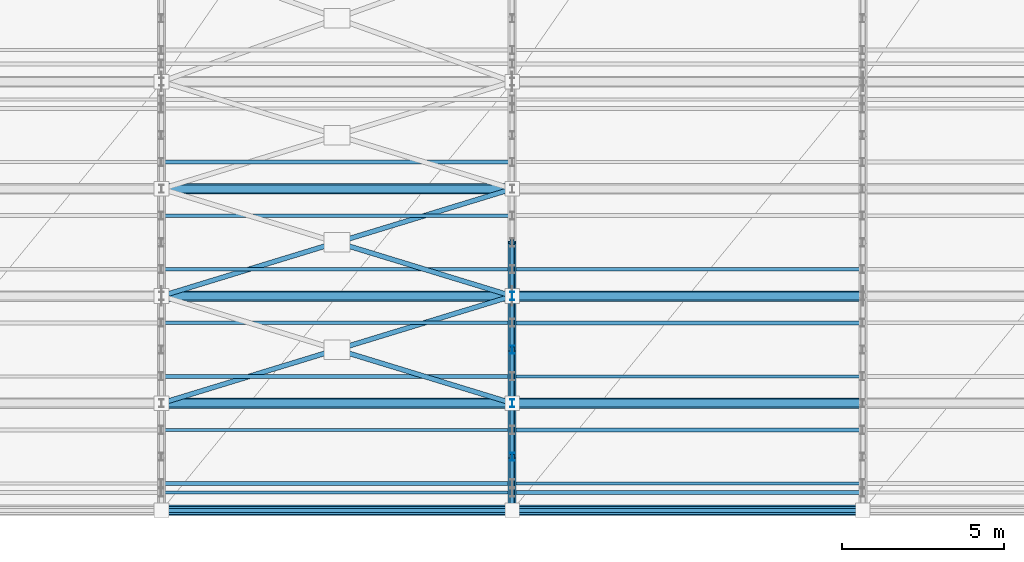
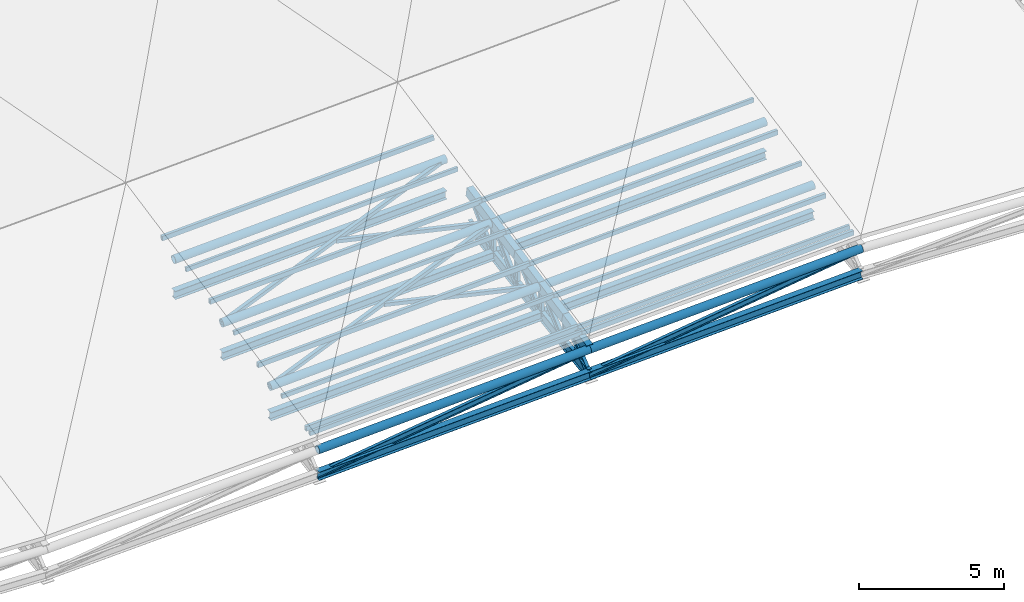
# One storey, part 31 of 89: 43 members, 10 beams.
"""IFC4 building model written with IfcOpenShell, lengths in metres."""

from ifc_helpers import new_model, si_unit, direction, frame, origin, origin_2d, place, context, subcontext, project, spatial, hollow_rectangle, hollow_circle, i_section, extrude, material, material_profile, profile_set, type_object, element, save


model = new_model("IFC4")

# Units and contexts
model_context = context("Model", 3, precision=1e-05, world=origin(), true_north=direction((0.0, 1.0)))
body_context = subcontext(model_context, "Body", "Model", "MODEL_VIEW")
ifc_project = project(units=[si_unit("LENGTHUNIT", "METRE"), si_unit("AREAUNIT", "SQUARE_METRE"), si_unit("VOLUMEUNIT", "CUBIC_METRE"), si_unit("PLANEANGLEUNIT", "RADIAN"), si_unit("MASSUNIT", "GRAM", prefix="KILO")], contexts=[model_context])

# Site, building, storey
site_placement = place(None, origin())
site = spatial("IfcSite", under=ifc_project, at=site_placement, CompositionType="ELEMENT")
building_placement = place(site_placement, origin())
building = spatial("IfcBuilding", under=site, at=building_placement, Name="Suirenkawa Promenade Aquatics Centre", CompositionType="ELEMENT")
storey_placement = place(building_placement, frame((0.0, 0.0, 9.60009765625)))
storey = spatial("IfcBuildingStorey", under=building, at=storey_placement, Name="L02", CompositionType="ELEMENT", Elevation=9.60009765625)

# Beams
ifc_material = material(Name="Steel IS 2062 E350 (Grade 350)", Category="steel")
ifc_material_profile_1 = material_profile(ifc_material, i_section(OverallWidth=0.14990234375, OverallDepth=0.449951171875, WebThickness=0.009033203125, FlangeThickness=0.01708984375, at=origin_2d()), Name="ISMB 450", Category="steel")
ifc_profile_set_1 = profile_set([ifc_material_profile_1], Name="Steel IS 2062 E350 (Grade 350)")
beam_type_1 = type_object("IfcBeamType", Name="BT-STL-ISMB450", PredefinedType="BEAM", material=ifc_profile_set_1)
beam_1_placement = place(storey_placement, frame((133.199951171875, 0.0, -1.710205078125), z_axis=(0.0, 0.988714190876, 0.149814047271), x_axis=(-1.0, 0.0, 0.0)))
element("IfcBeam", 1, at=beam_1_placement, inside=storey, type_object=beam_type_1, Name="ROOF TRUSS V3 bottom chord BM-08 BM-2736", PredefinedType="BEAM", context=body_context, shape_type="SweptSolid", body=[
    extrude(i_section(OverallWidth=0.14990234375, OverallDepth=0.449951171875, WebThickness=0.009033203125, FlangeThickness=0.01708984375, at=origin_2d()), origin(), (0.0, 0.0, 1.0), 1.668701171875),
])
beam_2_placement = place(storey_placement, frame((133.199951171875, 1.64990234375, -1.460205078125), z_axis=(0.0, 0.988346326675, 0.152222004153), x_axis=(-1.0, 0.0, 0.0)))
element("IfcBeam", 2, at=beam_2_placement, inside=storey, type_object=beam_type_1, Name="ROOF TRUSS V3 bottom chord BM-08 BM-2738", PredefinedType="BEAM", context=body_context, shape_type="SweptSolid", body=[
    extrude(i_section(OverallWidth=0.14990234375, OverallDepth=0.449951171875, WebThickness=0.009033203125, FlangeThickness=0.01708984375, at=origin_2d()), origin(), (0.0, 0.0, 1.0), 1.669677734375),
])
beam_3_placement = place(storey_placement, frame((133.199951171875, 3.300048828125, -1.2060546875), z_axis=(0.0, 0.987898893067, 0.155099249119), x_axis=(-1.0, 0.0, 0.0)))
element("IfcBeam", 3, at=beam_3_placement, inside=storey, type_object=beam_type_1, Name="ROOF TRUSS V3 bottom chord BM-08 BM-2740", PredefinedType="BEAM", context=body_context, shape_type="SweptSolid", body=[
    extrude(i_section(OverallWidth=0.14990234375, OverallDepth=0.449951171875, WebThickness=0.009033203125, FlangeThickness=0.01708984375, at=origin_2d()), origin(), (0.0, 0.0, 1.0), 1.670166015625),
])
beam_4_placement = place(storey_placement, frame((133.199951171875, 4.949951171875, -0.947021484375), z_axis=(0.0, 0.987359371107, 0.158497546627), x_axis=(-1.0, 0.0, 0.0)))
element("IfcBeam", 4, at=beam_4_placement, inside=storey, type_object=beam_type_1, Name="ROOF TRUSS V3 bottom chord BM-08 BM-2742", PredefinedType="BEAM", context=body_context, shape_type="SweptSolid", body=[
    extrude(i_section(OverallWidth=0.14990234375, OverallDepth=0.449951171875, WebThickness=0.009033203125, FlangeThickness=0.01708984375, at=origin_2d()), origin(), (0.0, 0.0, 1.0), 1.67138671875),
])
beam_5_placement = place(storey_placement, frame((133.199951171875, 6.60009765625, -0.68212890625), z_axis=(0.0, 0.986283257841, 0.165061610627), x_axis=(-1.0, 0.0, 0.0)))
element("IfcBeam", 5, at=beam_5_placement, inside=storey, type_object=beam_type_1, Name="ROOF TRUSS V3 bottom chord BM-08 BM-2744", PredefinedType="BEAM", context=body_context, shape_type="SweptSolid", body=[
    extrude(i_section(OverallWidth=0.14990234375, OverallDepth=0.449951171875, WebThickness=0.009033203125, FlangeThickness=0.01708984375, at=origin_2d()), origin(), (0.0, 0.0, 1.0), 1.6728515625),
])
ifc_material_profile_2 = material_profile(ifc_material, hollow_rectangle(XDim=0.25, YDim=0.39990234375, WallThickness=0.01611328125, at=origin_2d()), Name="RHS 400x250x16", Category="steel")
ifc_profile_set_2 = profile_set([ifc_material_profile_2], Name="Steel IS 2062 E350 (Grade 350)")
beam_type_2 = type_object("IfcBeamType", Name="BT-TC-RHS400", PredefinedType="BEAM", material=ifc_profile_set_2)
beam_6_placement = place(storey_placement, frame((133.199951171875, 0.0, -0.66015625), z_axis=(0.0, 0.980457722696, 0.196729901151), x_axis=(-1.0, 0.0, 0.0)))
element("IfcBeam", 6, at=beam_6_placement, inside=storey, type_object=beam_type_2, Name="ROOF TRUSS V3 top chord TC-03 BM-2735", PredefinedType="BEAM", context=body_context, shape_type="SweptSolid", body=[
    extrude(hollow_rectangle(XDim=0.25, YDim=0.39990234375, WallThickness=0.01611328125, at=origin_2d()), origin(), (0.0, 0.0, 1.0), 1.682861328125),
])
beam_7_placement = place(storey_placement, frame((133.199951171875, 1.64990234375, -0.3291015625), z_axis=(0.0, 0.980351285841, 0.197259616621), x_axis=(-1.0, 0.0, 0.0)))
element("IfcBeam", 7, at=beam_7_placement, inside=storey, type_object=beam_type_2, Name="ROOF TRUSS V3 top chord TC-03 BM-2737", PredefinedType="BEAM", context=body_context, shape_type="SweptSolid", body=[
    extrude(hollow_rectangle(XDim=0.25, YDim=0.39990234375, WallThickness=0.01611328125, at=origin_2d()), origin(), (0.0, 0.0, 1.0), 1.68310546875),
])
for number, where, z_axis, x_axis, name in (
    (8, (133.199951171875, 3.300048828125, 0.0029296875), (0.0, 0.980457722696, 0.196729901151), (-1.0, 0.0, 0.0), "ROOF TRUSS V3 top chord TC-03 BM-2739"),
    (9, (133.199951171875, 4.949951171875, 0.333984375), (0.0, 0.98049130361, 0.196562467287), (-1.0, 0.0, 0.0), "ROOF TRUSS V3 top chord TC-03 BM-2741"),
    (10, (133.199951171875, 6.60009765625, 0.664794921875), (0.0, 0.980457722696, 0.196729901151), (-1.0, 0.0, 0.0), "ROOF TRUSS V3 top chord TC-03 BM-2743"),
):
    element("IfcBeam", number, at=place(storey_placement, frame(where, z_axis=z_axis, x_axis=x_axis)), inside=storey, type_object=beam_type_2, Name=name, PredefinedType="BEAM", context=body_context, shape_type="SweptSolid", body=[
        extrude(hollow_rectangle(XDim=0.25, YDim=0.39990234375, WallThickness=0.01611328125, at=origin_2d()), origin(), (0.0, 0.0, 1.0), 1.682861328125),
    ])

# Members
ifc_material_profile_3 = material_profile(ifc_material, hollow_rectangle(XDim=0.14990234375, YDim=0.14990234375, WallThickness=0.008056640625, at=origin_2d()), Name="SHS 150x150x8", Category="steel")
ifc_profile_set_3 = profile_set([ifc_material_profile_3], Name="Steel IS 2062 E350 (Grade 350)")
member_type_1 = type_object("IfcMemberType", Name="MT-BRACE-SHS150", PredefinedType="BRACE", material=ifc_profile_set_3)
member_1_placement = place(storey_placement, frame((122.39990234375, 3.300048828125, -0.447021484375), z_axis=(0.951749298952, 0.290815273955, 0.097978305659), x_axis=(-0.292221281811, 0.956350731927, 0.0)))
element("IfcMember", 11, at=member_1_placement, inside=storey, type_object=member_type_1, Name="ROOF TRUSS V3 continuous plan brace BF-02 MB-1651", PredefinedType="BRACE", context=body_context, shape_type="SweptSolid", body=[
    extrude(hollow_rectangle(XDim=0.14990234375, YDim=0.14990234375, WallThickness=0.008056640625, at=origin_2d()), origin(), (0.0, 0.0, 1.0), 11.34765625),
])
member_2_placement = place(storey_placement, frame((133.199951171875, 3.300048828125, 0.0029296875), z_axis=(-0.956194612693, 0.29213400083, 0.018697278298), x_axis=(-0.292185077524, -0.956361793712, 0.0)))
element("IfcMember", 12, at=member_2_placement, inside=storey, type_object=member_type_1, Name="ROOF TRUSS V3 split plan brace A BF-02 MB-1652", PredefinedType="BRACE", context=body_context, shape_type="SweptSolid", body=[
    extrude(hollow_rectangle(XDim=0.14990234375, YDim=0.14990234375, WallThickness=0.008056640625, at=origin_2d()), origin(), (0.0, 0.0, 1.0), 5.5625),
])
member_3_placement = place(storey_placement, frame((122.39990234375, 6.60009765625, 0.21484375), z_axis=(0.951745216831, 0.29079251194, 0.098085458859), x_axis=(-0.292201508926, 0.95635677348, 0.0)))
element("IfcMember", 13, at=member_3_placement, inside=storey, type_object=member_type_1, Name="ROOF TRUSS V3 continuous plan brace BF-02 MB-1654", PredefinedType="BRACE", context=body_context, shape_type="SweptSolid", body=[
    extrude(hollow_rectangle(XDim=0.14990234375, YDim=0.14990234375, WallThickness=0.008056640625, at=origin_2d()), origin(), (0.0, 0.0, 1.0), 11.34765625),
])
member_4_placement = place(storey_placement, frame((133.199951171875, 6.60009765625, 0.664794921875), z_axis=(-0.956190666285, 0.292132795134, 0.018916651848), x_axis=(-0.292185077524, -0.956361793712, 0.0)))
element("IfcMember", 14, at=member_4_placement, inside=storey, type_object=member_type_1, Name="ROOF TRUSS V3 split plan brace A BF-02 MB-1655", PredefinedType="BRACE", context=body_context, shape_type="SweptSolid", body=[
    extrude(hollow_rectangle(XDim=0.14990234375, YDim=0.14990234375, WallThickness=0.008056640625, at=origin_2d()), origin(), (0.0, 0.0, 1.0), 5.5625),
])
ifc_material_profile_4 = material_profile(ifc_material, hollow_circle(Radius=0.162109375, WallThickness=0.013916015625, at=origin_2d()), Name="CHS 324x14", Category="steel")
ifc_profile_set_4 = profile_set([ifc_material_profile_4], Name="Steel IS 2062 E350 (Grade 350)")
member_type_2 = type_object("IfcMemberType", Name="MT-CHORD-CHS324", PredefinedType="CHORD", material=ifc_profile_set_4)
for number, where, z_axis, x_axis, name in (
    (15, (122.39990234375, 0.0, -1.110107421875), (0.9991332688, 0.0, 0.041625847467), (0.0, 1.0, 0.0), "ROOF TRUSS V3 eave top chord CH-01 MB-1505"),
    (16, (133.199951171875, 0.0, -0.66015625), (0.9991332688, 0.0, 0.041625847467), (0.0, 1.0, 0.0), "ROOF TRUSS V3 eave top chord CH-01 MB-1508"),
    (17, (122.39990234375, 3.300048828125, -0.447021484375), (0.9991332688, 0.0, 0.041625847467), (0.0, 1.0, 0.0), "ROOF TRUSS V3 tie chord CH-01 MB-1543"),
    (18, (133.199951171875, 3.300048828125, 0.0029296875), (0.9991332688, 0.0, 0.041625847467), (0.0, 1.0, 0.0), "ROOF TRUSS V3 tie chord CH-01 MB-1545"),
    (19, (122.39990234375, 6.60009765625, 0.21484375), (0.9991332688, 0.0, 0.041625847467), (0.0, 1.0, 0.0), "ROOF TRUSS V3 tie chord CH-01 MB-1557"),
    (20, (133.199951171875, 6.60009765625, 0.664794921875), (0.999132329203, 0.0, 0.041648394219), (0.0, 1.0, 0.0), "ROOF TRUSS V3 tie chord CH-01 MB-1559"),
    (21, (122.39990234375, 9.89990234375, 0.8779296875), (0.9991332688, 0.0, 0.041625847467), (0.0, 1.0, 0.0), "ROOF TRUSS V3 tie chord CH-01 MB-1571"),
):
    element("IfcMember", number, at=place(storey_placement, frame(where, z_axis=z_axis, x_axis=x_axis)), inside=storey, type_object=member_type_2, Name=name, PredefinedType="CHORD", context=body_context, shape_type="SweptSolid", body=[
        extrude(hollow_circle(Radius=0.162109375, WallThickness=0.013916015625, at=origin_2d()), origin(), (0.0, 0.0, 1.0), 10.809326171875),
    ])
ifc_material_profile_5 = material_profile(ifc_material, i_section(OverallWidth=0.25, OverallDepth=0.35009765625, WebThickness=0.010009765625, FlangeThickness=0.011962890625, at=origin_2d()), Name="ISHB 350", Category="steel")
ifc_profile_set_5 = profile_set([ifc_material_profile_5], Name="Steel IS 2062 E350 (Grade 350)")
member_type_3 = type_object("IfcMemberType", Name="MT-CHORD-ISHB350", PredefinedType="CHORD", material=ifc_profile_set_5)
for number, where, z_axis, x_axis, name in (
    (22, (122.39990234375, 0.0, -2.16015625), (0.9991332688, 0.0, 0.041625847467), (0.0, 1.0, 0.0), "ROOF TRUSS V3 eave bottom chord CH-04 MB-1506"),
    (23, (133.199951171875, 0.0, -1.710205078125), (0.999132329203, 0.0, 0.041648394219), (0.0, 1.0, 0.0), "ROOF TRUSS V3 eave bottom chord CH-04 MB-1509"),
    (24, (122.39990234375, 3.300048828125, -1.656005859375), (0.9991332688, 0.0, 0.041625847467), (0.0, 1.0, 0.0), "ROOF TRUSS V3 bottom tie CH-04 MB-1544"),
    (25, (133.199951171875, 3.300048828125, -1.2060546875), (0.9991332688, 0.0, 0.041625847467), (0.0, 1.0, 0.0), "ROOF TRUSS V3 bottom tie CH-04 MB-1546"),
    (26, (122.39990234375, 6.60009765625, -1.132080078125), (0.9991332688, 0.0, 0.041625847467), (0.0, 1.0, 0.0), "ROOF TRUSS V3 bottom tie CH-04 MB-1558"),
    (27, (133.199951171875, 6.60009765625, -0.68212890625), (0.9991332688, 0.0, 0.041625847467), (0.0, 1.0, 0.0), "ROOF TRUSS V3 bottom tie CH-04 MB-1560"),
    (28, (122.39990234375, 9.89990234375, -0.569091796875), (0.9991332688, 0.0, 0.041625847467), (0.0, 1.0, 0.0), "ROOF TRUSS V3 bottom tie CH-04 MB-1572"),
):
    element("IfcMember", number, at=place(storey_placement, frame(where, z_axis=z_axis, x_axis=x_axis)), inside=storey, type_object=member_type_3, Name=name, PredefinedType="CHORD", context=body_context, shape_type="SweptSolid", body=[
        extrude(i_section(OverallWidth=0.25, OverallDepth=0.35009765625, WebThickness=0.010009765625, FlangeThickness=0.011962890625, at=origin_2d()), origin(), (0.0, 0.0, 1.0), 10.809326171875),
    ])
ifc_material_profile_6 = material_profile(ifc_material, hollow_rectangle(XDim=0.10009765625, YDim=0.179931640625, WallThickness=0.008056640625, at=origin_2d()), Name="RHS 180x100x8", Category="steel")
ifc_profile_set_6 = profile_set([ifc_material_profile_6], Name="Steel IS 2062 E350 (Grade 350)")
member_type_4 = type_object("IfcMemberType", Name="MT-PURLIN-RHS180", PredefinedType="PURLIN", material=ifc_profile_set_6)
for number, where, z_axis, x_axis, name in (
    (29, (122.39990234375, 0.550048828125, -0.748046875), (0.9991332688, 0.0, 0.041625847467), (0.0, 1.0, 0.0), "ROOF TRUSS Roof purlin PU-01 MB-2785"),
    (30, (122.39990234375, 2.47509765625, -0.361083984375), (0.9991332688, 0.0, 0.041625847467), (0.0, 1.0, 0.0), "ROOF TRUSS Roof purlin PU-01 MB-2789"),
    (31, (122.39990234375, 5.77490234375, 0.30078125), (0.999132329203, 0.0, 0.041648394219), (0.0, 1.0, 0.0), "ROOF TRUSS Roof purlin PU-01 MB-2793"),
    (32, (122.39990234375, 9.074951171875, 0.9638671875), (0.9991332688, 0.0, 0.041625847467), (0.0, 1.0, 0.0), "ROOF TRUSS Roof purlin PU-01 MB-2797"),
    (33, (133.199951171875, 0.824951171875, -0.2421875), (0.999132329203, 0.0, 0.041648394219), (0.0, 1.0, 0.0), "ROOF TRUSS Roof purlin PU-01 MB-2827"),
    (34, (133.199951171875, 4.125, 0.419921875), (0.9991332688, 0.0, 0.041625847467), (0.0, 1.0, 0.0), "ROOF TRUSS Roof purlin PU-01 MB-2831"),
    (35, (133.199951171875, 7.425048828125, 1.0830078125), (0.9991332688, 0.0, 0.041625847467), (0.0, 1.0, 0.0), "ROOF TRUSS Roof purlin PU-01 MB-2835"),
):
    element("IfcMember", number, at=place(storey_placement, frame(where, z_axis=z_axis, x_axis=x_axis)), inside=storey, type_object=member_type_4, Name=name, PredefinedType="PURLIN", context=body_context, shape_type="SweptSolid", body=[
        extrude(hollow_rectangle(XDim=0.10009765625, YDim=0.179931640625, WallThickness=0.008056640625, at=origin_2d()), origin(), (0.0, 0.0, 1.0), 10.809326171875),
    ])
ifc_material_profile_7 = material_profile(ifc_material, hollow_rectangle(XDim=0.1201171875, YDim=0.199951171875, WallThickness=0.008056640625, at=origin_2d()), Name="RHS 200x120x8", Category="steel")
ifc_profile_set_7 = profile_set([ifc_material_profile_7], Name="Steel IS 2062 E350 (Grade 350)")
member_type_5 = type_object("IfcMemberType", Name="MT-PURLIN-RHS200", PredefinedType="PURLIN", material=ifc_profile_set_7)
for number, where, z_axis, x_axis, name in (
    (36, (122.39990234375, 0.824951171875, -0.7041015625), (0.9991332688, 0.0, 0.041625847467), (0.0, 1.0, 0.0), "ROOF TRUSS Roof purlin PU-02 MB-2787"),
    (37, (122.39990234375, 4.125, -0.0419921875), (0.9991332688, 0.0, 0.041625847467), (0.0, 1.0, 0.0), "ROOF TRUSS Roof purlin PU-02 MB-2791"),
    (38, (122.39990234375, 7.425048828125, 0.620849609375), (0.9991332688, 0.0, 0.041625847467), (0.0, 1.0, 0.0), "ROOF TRUSS Roof purlin PU-02 MB-2795"),
    (39, (122.39990234375, 10.72509765625, 1.282958984375), (0.9991332688, 0.0, 0.041625847467), (0.0, 1.0, 0.0), "ROOF TRUSS Roof purlin PU-02 MB-2799"),
    (40, (133.199951171875, 0.550048828125, -0.31005859375), (0.9991332688, 0.0, 0.041625847467), (0.0, 1.0, 0.0), "ROOF TRUSS Roof purlin PU-02 MB-2825"),
    (41, (133.199951171875, 2.47509765625, 0.076904296875), (0.9991332688, 0.0, 0.041625847467), (0.0, 1.0, 0.0), "ROOF TRUSS Roof purlin PU-02 MB-2829"),
    (42, (133.199951171875, 5.77490234375, 0.739013671875), (0.9991332688, 0.0, 0.041625847467), (0.0, 1.0, 0.0), "ROOF TRUSS Roof purlin PU-02 MB-2833"),
):
    element("IfcMember", number, at=place(storey_placement, frame(where, z_axis=z_axis, x_axis=x_axis)), inside=storey, type_object=member_type_5, Name=name, PredefinedType="PURLIN", context=body_context, shape_type="SweptSolid", body=[
        extrude(hollow_rectangle(XDim=0.1201171875, YDim=0.199951171875, WallThickness=0.008056640625, at=origin_2d()), origin(), (0.0, 0.0, 1.0), 10.809326171875),
    ])
ifc_material_profile_8 = material_profile(ifc_material, i_section(OverallWidth=0.125, OverallDepth=0.25, WebThickness=0.007080078125, FlangeThickness=0.012939453125, at=origin_2d()), Name="ISMB 250", Category="steel")
ifc_profile_set_8 = profile_set([ifc_material_profile_8], Name="Steel IS 2062 E350 (Grade 350)")
member_type_6 = type_object("IfcMemberType", Name="MT-WEB-CHS168", PredefinedType="BRACE", material=ifc_profile_set_8)
member_5_placement = place(storey_placement, frame((133.199951171875, 0.0, -1.710205078125), z_axis=(0.0, 0.766805727189, 0.641879254026), x_axis=(-1.0, 0.0, 0.0)))
element("IfcMember", 43, at=member_5_placement, inside=storey, type_object=member_type_6, Name="ROOF TRUSS V3 web diagonal TD-03 MB-1431", PredefinedType="BRACE", context=body_context, shape_type="SweptSolid", body=[
    extrude(i_section(OverallWidth=0.125, OverallDepth=0.25, WebThickness=0.007080078125, FlangeThickness=0.012939453125, at=origin_2d()), origin(), (0.0, 0.0, 1.0), 2.151611328125),
])
member_6_placement = place(storey_placement, frame((133.199951171875, 1.64990234375, -1.460205078125), z_axis=(0.0, 0.748233280402, 0.663435722658), x_axis=(-1.0, 0.0, 0.0)))
element("IfcMember", 44, at=member_6_placement, inside=storey, type_object=member_type_6, Name="ROOF TRUSS V3 web diagonal TD-03 MB-1432", PredefinedType="BRACE", context=body_context, shape_type="SweptSolid", body=[
    extrude(i_section(OverallWidth=0.125, OverallDepth=0.25, WebThickness=0.007080078125, FlangeThickness=0.012939453125, at=origin_2d()), origin(), (0.0, 0.0, 1.0), 2.205322265625),
])
member_7_placement = place(storey_placement, frame((133.199951171875, 3.300048828125, -1.2060546875), z_axis=(0.0, 0.731026490239, 0.682349082632), x_axis=(-1.0, 0.0, 0.0)))
element("IfcMember", 45, at=member_7_placement, inside=storey, type_object=member_type_6, Name="ROOF TRUSS V3 web diagonal TD-03 MB-1433", PredefinedType="BRACE", context=body_context, shape_type="SweptSolid", body=[
    extrude(i_section(OverallWidth=0.125, OverallDepth=0.25, WebThickness=0.007080078125, FlangeThickness=0.012939453125, at=origin_2d()), origin(), (0.0, 0.0, 1.0), 2.257080078125),
])
member_8_placement = place(storey_placement, frame((133.199951171875, 4.949951171875, -0.947021484375), z_axis=(0.0, 0.715366336364, 0.698749600928), x_axis=(-1.0, 0.0, 0.0)))
element("IfcMember", 46, at=member_8_placement, inside=storey, type_object=member_type_6, Name="ROOF TRUSS V3 web diagonal TD-03 MB-1434", PredefinedType="BRACE", context=body_context, shape_type="SweptSolid", body=[
    extrude(i_section(OverallWidth=0.125, OverallDepth=0.25, WebThickness=0.007080078125, FlangeThickness=0.012939453125, at=origin_2d()), origin(), (0.0, 0.0, 1.0), 2.306640625),
])
member_9_placement = place(storey_placement, frame((133.199951171875, 6.60009765625, -0.68212890625), z_axis=(0.0, 0.701116216261, 0.713047018994), x_axis=(-1.0, 0.0, 0.0)))
element("IfcMember", 47, at=member_9_placement, inside=storey, type_object=member_type_6, Name="ROOF TRUSS V3 web diagonal TD-03 MB-1435", PredefinedType="BRACE", context=body_context, shape_type="SweptSolid", body=[
    extrude(i_section(OverallWidth=0.125, OverallDepth=0.25, WebThickness=0.007080078125, FlangeThickness=0.012939453125, at=origin_2d()), origin(), (0.0, 0.0, 1.0), 2.353271484375),
])
member_10_placement = place(storey_placement, frame((133.199951171875, 1.64990234375, -1.460205078125), z_axis=(0.0, 0.0, 1.0), x_axis=(1.0, 0.0, 0.0)))
element("IfcMember", 48, at=member_10_placement, inside=storey, type_object=member_type_6, Name="ROOF TRUSS V3 web post TD-03 MB-1447", PredefinedType="BRACE", context=body_context, shape_type="SweptSolid", body=[
    extrude(i_section(OverallWidth=0.125, OverallDepth=0.25, WebThickness=0.007080078125, FlangeThickness=0.012939453125, at=origin_2d()), origin(), (0.0, 0.0, 1.0), 1.131103515625),
])
member_11_placement = place(storey_placement, frame((133.199951171875, 3.300048828125, -1.2060546875), z_axis=(0.0, 0.0, 1.0), x_axis=(1.0, 0.0, 0.0)))
element("IfcMember", 49, at=member_11_placement, inside=storey, type_object=member_type_6, Name="ROOF TRUSS V3 web post TD-03 MB-1448", PredefinedType="BRACE", context=body_context, shape_type="SweptSolid", body=[
    extrude(i_section(OverallWidth=0.125, OverallDepth=0.25, WebThickness=0.007080078125, FlangeThickness=0.012939453125, at=origin_2d()), origin(), (0.0, 0.0, 1.0), 1.208984375),
])
member_12_placement = place(storey_placement, frame((133.199951171875, 4.949951171875, -0.947021484375), z_axis=(0.0, 0.0, 1.0), x_axis=(1.0, 0.0, 0.0)))
element("IfcMember", 50, at=member_12_placement, inside=storey, type_object=member_type_6, Name="ROOF TRUSS V3 web post TD-03 MB-1449", PredefinedType="BRACE", context=body_context, shape_type="SweptSolid", body=[
    extrude(i_section(OverallWidth=0.125, OverallDepth=0.25, WebThickness=0.007080078125, FlangeThickness=0.012939453125, at=origin_2d()), origin(), (0.0, 0.0, 1.0), 1.281005859375),
])
member_13_placement = place(storey_placement, frame((133.199951171875, 6.60009765625, -0.68212890625), z_axis=(0.0, 0.0, 1.0), x_axis=(1.0, 0.0, 0.0)))
element("IfcMember", 51, at=member_13_placement, inside=storey, type_object=member_type_6, Name="ROOF TRUSS V3 web post TD-03 MB-1450", PredefinedType="BRACE", context=body_context, shape_type="SweptSolid", body=[
    extrude(i_section(OverallWidth=0.125, OverallDepth=0.25, WebThickness=0.007080078125, FlangeThickness=0.012939453125, at=origin_2d()), origin(), (0.0, 0.0, 1.0), 1.346923828125),
])
for number, where, z_axis, x_axis, name in (
    (52, (122.39990234375, 0.0, -2.16015625), (0.990492357926, 0.0, 0.137567761085), (0.0, 1.0, 0.0), "ROOF TRUSS V3 eave web diagonal TD-03 MB-1507"),
    (53, (133.199951171875, 0.0, -1.710205078125), (0.990492357926, 0.0, 0.137567761085), (0.0, 1.0, 0.0), "ROOF TRUSS V3 eave web diagonal TD-03 MB-1510"),
):
    element("IfcMember", number, at=place(storey_placement, frame(where, z_axis=z_axis, x_axis=x_axis)), inside=storey, type_object=member_type_6, Name=name, PredefinedType="BRACE", context=body_context, shape_type="SweptSolid", body=[
        extrude(i_section(OverallWidth=0.125, OverallDepth=0.25, WebThickness=0.007080078125, FlangeThickness=0.012939453125, at=origin_2d()), origin(), (0.0, 0.0, 1.0), 10.90380859375),
    ])

save(model, "model.ifc")
